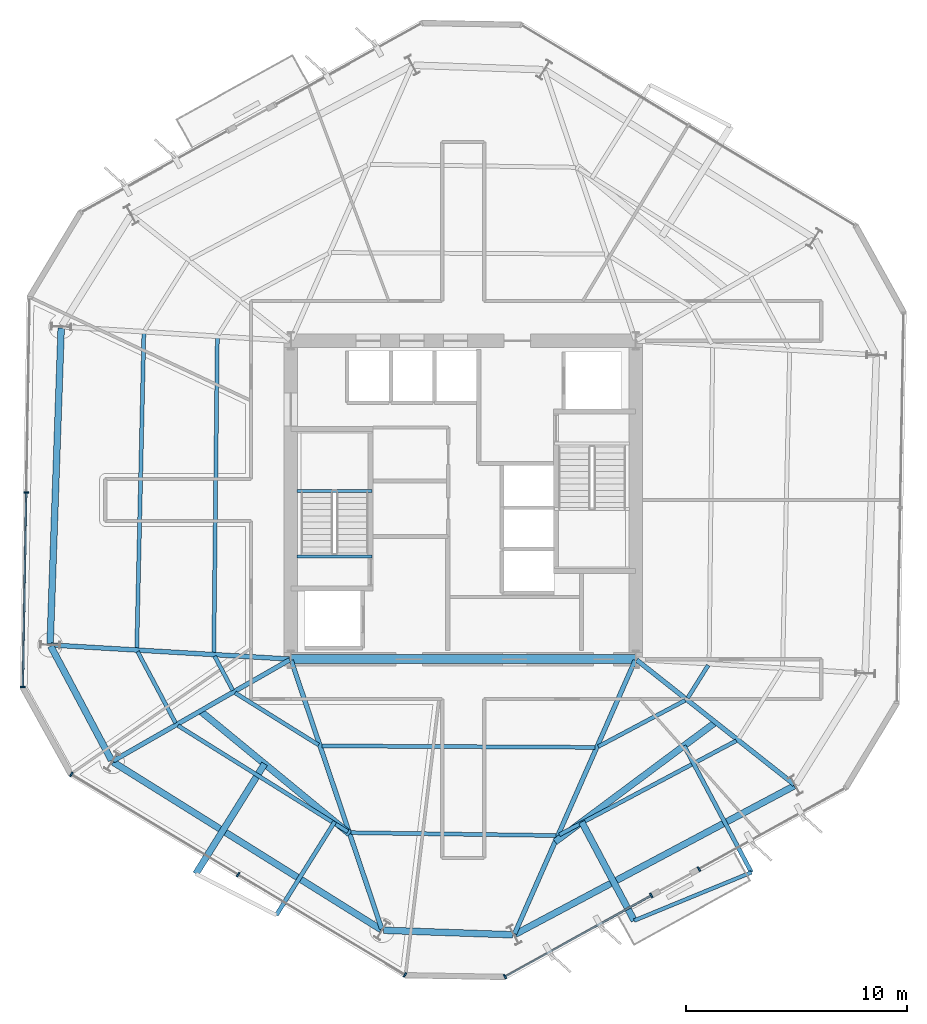
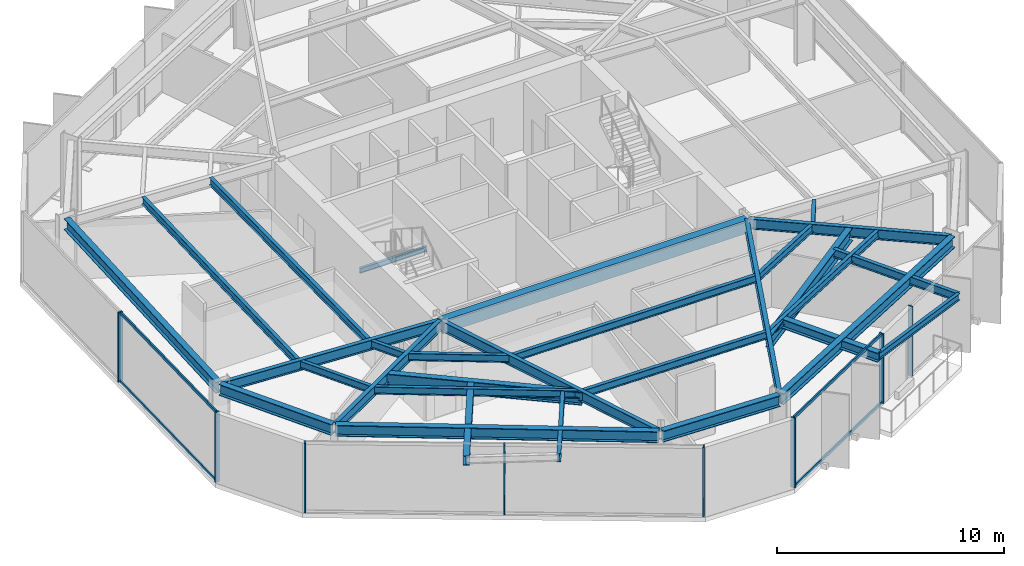
# One storey, part 2 of 11: 31 beams, 12 members, 4 elements without a shape of their own.
"""IFC4 building model written with IfcOpenShell, lengths in metres."""

from ifc_helpers import new_model, si_unit, direction, frame, origin, origin_2d, place, context, subcontext, project, spatial, rectangle, i_section, extrude, material, layer, layer_set, material_profile, profile_set, type_object, element, aggregate, save


model = new_model("IFC4")

# Units and contexts
model_context = context("Model", 3, precision=1e-05, world=origin(), true_north=direction((0.0, 1.0)))
body_context = subcontext(model_context, "Body", "Model", "MODEL_VIEW")
ifc_project = project(units=[si_unit("LENGTHUNIT", "METRE"), si_unit("AREAUNIT", "SQUARE_METRE"), si_unit("VOLUMEUNIT", "CUBIC_METRE"), si_unit("PLANEANGLEUNIT", "RADIAN"), si_unit("MASSUNIT", "GRAM", prefix="KILO")], contexts=[model_context])

# Site, building, storey
site_placement = place(None, origin())
site = spatial("IfcSite", under=ifc_project, at=site_placement, CompositionType="ELEMENT")
building_placement = place(site_placement, origin())
building = spatial("IfcBuilding", under=site, at=building_placement, Name="Kranzbogen Civic Tower", CompositionType="ELEMENT")
storey_placement = place(building_placement, frame((0.0, 0.0, 138.39990234375)))
storey = spatial("IfcBuildingStorey", under=building, at=storey_placement, Name="L33", CompositionType="ELEMENT", Elevation=138.39990234375)

# Beams
ifc_material_1 = material(Name="Steel S355", Category="steel")
ifc_material_profile_1 = material_profile(ifc_material_1, i_section(OverallWidth=0.18994140625, OverallDepth=0.449951171875, WebThickness=0.009521484375, FlangeThickness=0.0146484375, at=origin_2d()), Name="IPE 450")
ifc_profile_set_1 = profile_set([ifc_material_profile_1], Name="Steel S355")
beam_type_1 = type_object("IfcBeamType", Name="Braced Terrace Edge Beam IPE 450", PredefinedType="BEAM", material=ifc_profile_set_1)
beam_1_placement = place(storey_placement, frame((19.18798828125, 10.450927734375, 3.525146484375), z_axis=(-0.529902142132, -0.848058794992, 0.0), x_axis=(0.848058794992, -0.529902142132, 0.0)))
element("IfcBeam", 1, at=beam_1_placement, inside=storey, type_object=beam_type_1, Name="L34 back-spanned terrace beam L34-TB1-2", PredefinedType="BEAM", context=body_context, shape_type="SweptSolid", body=[
    extrude(i_section(OverallWidth=0.18994140625, OverallDepth=0.449951171875, WebThickness=0.009521484375, FlangeThickness=0.0146484375, at=origin_2d()), origin(), (0.0, 0.0, 1.0), 4.98779296875),
])
beam_2_placement = place(storey_placement, frame((34.990966796875, 13.884033203125, 3.4951171875), z_axis=(0.469406438819, -0.882982216806, 0.0), x_axis=(0.882982216806, 0.469406438819, 0.0)))
element("IfcBeam", 2, at=beam_2_placement, inside=storey, type_object=beam_type_1, Name="L34 back-spanned terrace beam L34-ST-2", PredefinedType="BEAM", context=body_context, shape_type="SweptSolid", body=[
    extrude(i_section(OverallWidth=0.18994140625, OverallDepth=0.449951171875, WebThickness=0.009521484375, FlangeThickness=0.0146484375, at=origin_2d()), origin(), (0.0, 0.0, 1.0), 6.4892578125),
])
ifc_material_2 = material(Name="Concrete C40/50", Category="concrete")
ifc_material_profile_2 = material_profile(ifc_material_2, rectangle(XDim=0.39990234375, YDim=0.699951171875, at=origin_2d()), Name="RC-BM 400x700")
ifc_profile_set_2 = profile_set([ifc_material_profile_2], Name="Concrete C40/50")
beam_type_2 = type_object("IfcBeamType", Name="Core Coupling Lintel Beam 400x700", PredefinedType="LINTEL", material=ifc_profile_set_2)
beam_3_placement = place(storey_placement, frame((17.199951171875, 17.800048828125, 3.41015625), z_axis=(1.0, 0.0, 0.0), x_axis=(0.0, 1.0, 0.0)))
element("IfcBeam", 3, at=beam_3_placement, inside=storey, type_object=beam_type_2, Name="L33 core South coupling lintel beam", PredefinedType="LINTEL", context=body_context, shape_type="SweptSolid", body=[
    extrude(rectangle(XDim=0.39990234375, YDim=0.699951171875, at=origin_2d()), origin(), (0.0, 0.0, 1.0), 15.60009765625),
])

# Curtain wall, members
ifc_material_3 = material(Name="Pale Anodised Aluminium", Category="aluminium")
ifc_layer = layer(ifc_material_3, 0.219970703125, Name="Pale Anodised Aluminium")
ifc_layer_set = layer_set([ifc_layer], Name="Pale Anodised Aluminium")
curtain_wall_type = type_object("IfcCurtainWallType", Name="Zone 2 Stick Curtain Wall System CW-03", PredefinedType="USERDEFINED", material=ifc_layer_set)
curtain_wall_1_placement = place(storey_placement, origin())
curtain_wall_1 = element("IfcCurtainWall", 4, at=curtain_wall_1_placement, inside=storey, type_object=curtain_wall_type, Name="L33 curtain wall CW-L33-F3", ObjectType="STICK CURTAIN WALL", PredefinedType="USERDEFINED")
ifc_material_profile_3 = material_profile(ifc_material_3, rectangle(XDim=0.074951171875, YDim=0.219970703125, at=origin_2d()), Name="ALU-M 75x220")
ifc_profile_set_3 = profile_set([ifc_material_profile_3], Name="Pale Anodised Aluminium")
member_type_1 = type_object("IfcMemberType", Name="Curtain Wall Mullion ALU-M 75x220", PredefinedType="MULLION", material=ifc_profile_set_3)
member_1_placement = place(storey_placement, frame((5.23095703125, 25.344970703125, 0.0), z_axis=(0.0, 0.0, 1.0), x_axis=(-0.017431971008, -0.999848051649, 0.0)))
member_1 = element("IfcMember", 5, at=member_1_placement, type_object=member_type_1, Name="CW-03 mullion 2", PredefinedType="MULLION", context=body_context, shape_type="SweptSolid", body=[
    extrude(rectangle(XDim=0.074951171875, YDim=0.219970703125, at=origin_2d()), origin(), (0.0, 0.0, 1.0), 3.760009765625),
])
member_2_placement = place(storey_placement, frame((5.07763671875, 16.5419921875, 0.0), z_axis=(0.0, 0.0, 1.0), x_axis=(-0.017431971008, -0.999848051649, 0.0)))
member_2 = element("IfcMember", 6, at=member_2_placement, type_object=member_type_1, Name="CW-03 mullion 3", PredefinedType="MULLION", context=body_context, shape_type="SweptSolid", body=[
    extrude(rectangle(XDim=0.074951171875, YDim=0.219970703125, at=origin_2d()), origin(), (0.0, 0.0, 1.0), 3.760009765625),
])

curtain_wall_2_placement = place(storey_placement, origin())
curtain_wall_2 = element("IfcCurtainWall", 7, at=curtain_wall_2_placement, inside=storey, type_object=curtain_wall_type, Name="L33 curtain wall CW-L33-F4", ObjectType="STICK CURTAIN WALL", PredefinedType="USERDEFINED")
member_3_placement = place(storey_placement, frame((7.270751953125, 12.586669921875, 0.0), z_axis=(0.0, 0.0, 1.0), x_axis=(0.857153137828, -0.515061645156, 0.0)))
member_3 = element("IfcMember", 8, at=member_3_placement, type_object=member_type_1, Name="CW-03 mullion 1", PredefinedType="MULLION", context=body_context, shape_type="SweptSolid", body=[
    extrude(rectangle(XDim=0.074951171875, YDim=0.219970703125, at=origin_2d()), origin(), (0.0, 0.0, 1.0), 3.760009765625),
])
member_4_placement = place(storey_placement, frame((14.81689453125, 8.052001953125, 0.0), z_axis=(0.0, 0.0, 1.0), x_axis=(0.857153137828, -0.515061645156, 0.0)))
member_4 = element("IfcMember", 9, at=member_4_placement, type_object=member_type_1, Name="CW-03 mullion 2", PredefinedType="MULLION", context=body_context, shape_type="SweptSolid", body=[
    extrude(rectangle(XDim=0.074951171875, YDim=0.219970703125, at=origin_2d()), origin(), (0.0, 0.0, 1.0), 3.760009765625),
])
member_5_placement = place(storey_placement, frame((22.36328125, 3.517333984375, 0.0), z_axis=(0.0, 0.0, 1.0), x_axis=(0.857153137828, -0.515061645156, 0.0)))
member_5 = element("IfcMember", 10, at=member_5_placement, type_object=member_type_1, Name="CW-03 mullion 3", PredefinedType="MULLION", context=body_context, shape_type="SweptSolid", body=[
    extrude(rectangle(XDim=0.074951171875, YDim=0.219970703125, at=origin_2d()), origin(), (0.0, 0.0, 1.0), 3.760009765625),
])
aggregate(curtain_wall_2, [member_3, member_4, member_5])

curtain_wall_3_placement = place(storey_placement, origin())
curtain_wall_3 = element("IfcCurtainWall", 11, at=curtain_wall_3_placement, inside=storey, type_object=curtain_wall_type, Name="L33 curtain wall CW-L33-F5-S1", ObjectType="STICK CURTAIN WALL", PredefinedType="USERDEFINED")
member_6_placement = place(storey_placement, frame((26.88525390625, 3.4384765625, 0.0), z_axis=(0.0, 0.0, 1.0), x_axis=(0.874626457599, 0.484797441894, 0.0)))
member_6 = element("IfcMember", 12, at=member_6_placement, type_object=member_type_1, Name="CW-03 mullion 1", PredefinedType="MULLION", context=body_context, shape_type="SweptSolid", body=[
    extrude(rectangle(XDim=0.074951171875, YDim=0.219970703125, at=origin_2d()), origin(), (0.0, 0.0, 1.0), 3.760009765625),
])
member_7_placement = place(storey_placement, frame((33.509765625, 7.1103515625, 0.0), z_axis=(0.0, 0.0, 1.0), x_axis=(0.874626457599, 0.484797441894, 0.0)))
member_7 = element("IfcMember", 13, at=member_7_placement, type_object=member_type_1, Name="CW-03 mullion 2", PredefinedType="MULLION", context=body_context, shape_type="SweptSolid", body=[
    extrude(rectangle(XDim=0.074951171875, YDim=0.219970703125, at=origin_2d()), origin(), (0.0, 0.0, 1.0), 3.760009765625),
])

# Curtain wall, member
curtain_wall_4_placement = place(storey_placement, origin())
curtain_wall_4 = element("IfcCurtainWall", 14, at=curtain_wall_4_placement, inside=storey, type_object=curtain_wall_type, Name="L33 curtain wall CW-L33-F5-S2", ObjectType="STICK CURTAIN WALL", PredefinedType="USERDEFINED")
member_8_placement = place(storey_placement, frame((35.6611328125, 8.303466796875, 0.0), z_axis=(0.0, 0.0, 1.0), x_axis=(0.874626457599, 0.484797441894, 0.0)))
member_8 = element("IfcMember", 15, at=member_8_placement, type_object=member_type_1, Name="CW-03 mullion 1", PredefinedType="MULLION", context=body_context, shape_type="SweptSolid", body=[
    extrude(rectangle(XDim=0.074951171875, YDim=0.219970703125, at=origin_2d()), origin(), (0.0, 0.0, 1.0), 3.760009765625),
])
aggregate(curtain_wall_4, [member_8])

# Member
ifc_material_profile_4 = material_profile(ifc_material_3, rectangle(XDim=0.074951171875, YDim=0.1650390625, at=origin_2d()), Name="ALU-T 75x165")
ifc_profile_set_4 = profile_set([ifc_material_profile_4], Name="Pale Anodised Aluminium")
member_type_2 = type_object("IfcMemberType", Name="Curtain Wall Transom ALU-T 75x165", PredefinedType="USERDEFINED", material=ifc_profile_set_4)
member_9_placement = place(storey_placement, frame((5.23046875, 25.31494140625, 0.030029296875), z_axis=(-0.01742216891, -0.999848222497, 0.0), x_axis=(0.999848222497, -0.01742216891, 0.0)))
member_9 = element("IfcMember", 16, at=member_9_placement, type_object=member_type_2, Name="CW-03 transom 2.1", ObjectType="TRANSOM", PredefinedType="USERDEFINED", context=body_context, shape_type="SweptSolid", body=[
    extrude(rectangle(XDim=0.074951171875, YDim=0.1650390625, at=origin_2d()), origin(), (0.0, 0.0, 1.0), 8.744140625),
])

member_10_placement = place(storey_placement, frame((5.23046875, 25.31494140625, 3.72998046875), z_axis=(-0.01742216891, -0.999848222497, 0.0), x_axis=(0.999848222497, -0.01742216891, 0.0)))
member_10 = element("IfcMember", 17, at=member_10_placement, type_object=member_type_2, Name="CW-03 transom 2.2", ObjectType="TRANSOM", PredefinedType="USERDEFINED", context=body_context, shape_type="SweptSolid", body=[
    extrude(rectangle(XDim=0.074951171875, YDim=0.1650390625, at=origin_2d()), origin(), (0.0, 0.0, 1.0), 8.744140625),
])

aggregate(curtain_wall_1, [member_1, member_2, member_9, member_10])

member_11_placement = place(storey_placement, frame((26.911376953125, 3.453125, 0.030029296875), z_axis=(0.874633478756, 0.484784774759, 0.0), x_axis=(-0.484784774759, 0.874633478756, 0.0)))
member_11 = element("IfcMember", 18, at=member_11_placement, type_object=member_type_2, Name="CW-03 transom 1.1", ObjectType="TRANSOM", PredefinedType="USERDEFINED", context=body_context, shape_type="SweptSolid", body=[
    extrude(rectangle(XDim=0.074951171875, YDim=0.1650390625, at=origin_2d()), origin(), (0.0, 0.0, 1.0), 7.514404296875),
])

member_12_placement = place(storey_placement, frame((26.911376953125, 3.453125, 3.72998046875), z_axis=(0.874633478756, 0.484784774759, 0.0), x_axis=(-0.484784774759, 0.874633478756, 0.0)))
member_12 = element("IfcMember", 19, at=member_12_placement, type_object=member_type_2, Name="CW-03 transom 1.2", ObjectType="TRANSOM", PredefinedType="USERDEFINED", context=body_context, shape_type="SweptSolid", body=[
    extrude(rectangle(XDim=0.074951171875, YDim=0.1650390625, at=origin_2d()), origin(), (0.0, 0.0, 1.0), 7.514404296875),
])

aggregate(curtain_wall_3, [member_6, member_7, member_11, member_12])

# Beams
ifc_material_profile_5 = material_profile(ifc_material_1, i_section(OverallWidth=0.300048828125, OverallDepth=0.5, WebThickness=0.014404296875, FlangeThickness=0.028076171875, at=origin_2d()), Name="HEB 500")
ifc_profile_set_5 = profile_set([ifc_material_profile_5], Name="Steel S355")
beam_type_3 = type_object("IfcBeamType", Name="Perimeter Tube Spandrel Beam HEB 500", PredefinedType="SPANDREL", material=ifc_profile_set_5)
beam_4_placement = place(storey_placement, frame((16.011962890625, 13.06396484375, 3.5), z_axis=(-0.529980228691, -0.848009998288, 0.0), x_axis=(0.848009998288, -0.529980228691, 0.0)))
element("IfcBeam", 20, at=beam_4_placement, inside=storey, type_object=beam_type_3, Name="L34 back-spanned terrace beam L34-TB1-1", PredefinedType="SPANDREL", context=body_context, shape_type="SweptSolid", body=[
    extrude(i_section(OverallWidth=0.300048828125, OverallDepth=0.5, WebThickness=0.014404296875, FlangeThickness=0.028076171875, at=origin_2d()), origin(), (0.0, 0.0, 1.0), 5.8642578125),
])
beam_5_placement = place(storey_placement, frame((30.361083984375, 10.43408203125, 3.47021484375), z_axis=(0.469356559046, -0.883008731826, 0.0), x_axis=(0.883008731826, 0.469356559046, 0.0)))
element("IfcBeam", 21, at=beam_5_placement, inside=storey, type_object=beam_type_3, Name="L34 back-spanned terrace beam L34-ST-1", PredefinedType="SPANDREL", context=body_context, shape_type="SweptSolid", body=[
    extrude(i_section(OverallWidth=0.300048828125, OverallDepth=0.5, WebThickness=0.014404296875, FlangeThickness=0.028076171875, at=origin_2d()), origin(), (0.0, 0.0, 1.0), 5.053466796875),
])
ifc_material_profile_6 = material_profile(ifc_material_1, i_section(OverallWidth=0.300048828125, OverallDepth=0.60009765625, WebThickness=0.015380859375, FlangeThickness=0.030029296875, at=origin_2d()), Name="HEB 600")
ifc_profile_set_6 = profile_set([ifc_material_profile_6], Name="Steel S355")
beam_type_4 = type_object("IfcBeamType", Name="Perimeter Tube Spandrel Beam HEB 600", PredefinedType="SPANDREL", material=ifc_profile_set_6)
beam_6_placement = place(storey_placement, frame((6.337890625, 18.39111328125, 3.460205078125), z_axis=(0.469565926668, -0.882897412224, 0.0), x_axis=(0.882897412224, 0.469565926668, 0.0)))
element("IfcBeam", 22, at=beam_6_placement, inside=storey, type_object=beam_type_4, Name="L33 perimeter spandrel beam 01", PredefinedType="SPANDREL", context=body_context, shape_type="SweptSolid", body=[
    extrude(i_section(OverallWidth=0.300048828125, OverallDepth=0.60009765625, WebThickness=0.015380859375, FlangeThickness=0.030029296875, at=origin_2d()), origin(), (0.0, 0.0, 1.0), 5.852294921875),
])
beam_7_placement = place(storey_placement, frame((9.1650390625, 13.138916015625, 3.460205078125), z_axis=(0.848051101349, -0.52991445489, 0.0), x_axis=(0.52991445489, 0.848051101349, 0.0)))
element("IfcBeam", 23, at=beam_7_placement, inside=storey, type_object=beam_type_4, Name="L33 perimeter spandrel beam 02", PredefinedType="SPANDREL", context=body_context, shape_type="SweptSolid", body=[
    extrude(i_section(OverallWidth=0.300048828125, OverallDepth=0.60009765625, WebThickness=0.015380859375, FlangeThickness=0.030029296875, at=origin_2d()), origin(), (0.0, 0.0, 1.0), 14.286865234375),
])
beam_8_placement = place(storey_placement, frame((21.39208984375, 5.533935546875, 3.460205078125), z_axis=(0.999393148233, -0.03483296234, 0.0), x_axis=(0.03483296234, 0.999393148233, 0.0)))
element("IfcBeam", 24, at=beam_8_placement, inside=storey, type_object=beam_type_4, Name="L33 perimeter spandrel beam 03", PredefinedType="SPANDREL", context=body_context, shape_type="SweptSolid", body=[
    extrude(i_section(OverallWidth=0.300048828125, OverallDepth=0.60009765625, WebThickness=0.015380859375, FlangeThickness=0.030029296875, at=origin_2d()), origin(), (0.0, 0.0, 1.0), 5.8525390625),
])
beam_9_placement = place(storey_placement, frame((27.35400390625, 5.35595703125, 3.460205078125), z_axis=(0.882948194046, 0.469470432116, 0.0), x_axis=(-0.469470432116, 0.882948194046, 0.0)))
element("IfcBeam", 25, at=beam_9_placement, inside=storey, type_object=beam_type_4, Name="L33 perimeter spandrel beam 04", PredefinedType="SPANDREL", context=body_context, shape_type="SweptSolid", body=[
    extrude(i_section(OverallWidth=0.300048828125, OverallDepth=0.60009765625, WebThickness=0.015380859375, FlangeThickness=0.030029296875, at=origin_2d()), origin(), (0.0, 0.0, 1.0), 14.28857421875),
])
beam_10_placement = place(storey_placement, frame((6.81103515625, 32.783935546875, 3.460205078125), z_axis=(-0.034924229103, -0.999389963038, 0.0), x_axis=(0.999389963038, -0.034924229103, 0.0)))
element("IfcBeam", 26, at=beam_10_placement, inside=storey, type_object=beam_type_4, Name="L33 perimeter spandrel beam 12", PredefinedType="SPANDREL", context=body_context, shape_type="SweptSolid", body=[
    extrude(i_section(OverallWidth=0.300048828125, OverallDepth=0.60009765625, WebThickness=0.015380859375, FlangeThickness=0.030029296875, at=origin_2d()), origin(), (0.0, 0.0, 1.0), 14.288818359375),
])
ifc_material_profile_7 = material_profile(ifc_material_1, i_section(OverallWidth=0.300048828125, OverallDepth=0.699951171875, WebThickness=0.01708984375, FlangeThickness=0.031982421875, at=origin_2d()), Name="HEB 700")
ifc_profile_set_7 = profile_set([ifc_material_profile_7], Name="Steel S355")
beam_type_5 = type_object("IfcBeamType", Name="Perimeter Tube Spandrel Beam HEB 700", PredefinedType="SPANDREL", material=ifc_profile_set_7)
beam_11_placement = place(storey_placement, frame((13.10595703125, 15.4560546875, 3.400146484375), z_axis=(0.772133132713, -0.635460797663, 0.0), x_axis=(0.635460797663, 0.772133132713, 0.0)))
element("IfcBeam", 27, at=beam_11_placement, inside=storey, type_object=beam_type_5, Name="L34 balcony back-span header girder L34-TB1", PredefinedType="SPANDREL", context=body_context, shape_type="SweptSolid", body=[
    extrude(i_section(OverallWidth=0.300048828125, OverallDepth=0.699951171875, WebThickness=0.01708984375, FlangeThickness=0.031982421875, at=origin_2d()), origin(), (0.0, 0.0, 1.0), 8.751220703125),
])
beam_12_placement = place(storey_placement, frame((29.156982421875, 9.537109375, 3.3701171875), z_axis=(0.801896259305, 0.597463295369, 0.0), x_axis=(-0.597463295369, 0.801896259305, 0.0)))
element("IfcBeam", 28, at=beam_12_placement, inside=storey, type_object=beam_type_5, Name="L34 balcony back-span header girder L34-ST", PredefinedType="SPANDREL", context=body_context, shape_type="SweptSolid", body=[
    extrude(i_section(OverallWidth=0.300048828125, OverallDepth=0.699951171875, WebThickness=0.01708984375, FlangeThickness=0.031982421875, at=origin_2d()), origin(), (0.0, 0.0, 1.0), 9.0498046875),
])
ifc_material_profile_8 = material_profile(ifc_material_1, i_section(OverallWidth=0.2099609375, OverallDepth=0.550048828125, WebThickness=0.010986328125, FlangeThickness=0.01708984375, at=origin_2d()), Name="IPE 550")
ifc_profile_set_8 = profile_set([ifc_material_profile_8], Name="Steel S355")
beam_type_6 = type_object("IfcBeamType", Name="Radial Tower Floor Girder IPE 550", PredefinedType="BEAM", material=ifc_profile_set_8)
beam_13_placement = place(storey_placement, frame((6.3701171875, 18.43994140625, 3.485107421875), z_axis=(0.998260925387, -0.058950189528, 0.0), x_axis=(0.058950189528, 0.998260925387, 0.0)))
element("IfcBeam", 29, at=beam_13_placement, inside=storey, type_object=beam_type_6, Name="L33 radial floor girder 01", PredefinedType="BEAM", context=body_context, shape_type="SweptSolid", body=[
    extrude(i_section(OverallWidth=0.2099609375, OverallDepth=0.550048828125, WebThickness=0.010986328125, FlangeThickness=0.01708984375, at=origin_2d()), origin(), (0.0, 0.0, 1.0), 10.78857421875),
])
beam_14_placement = place(storey_placement, frame((9.166015625, 13.200927734375, 3.485107421875), z_axis=(0.867868812182, 0.496793442833, 0.0), x_axis=(-0.496793442833, 0.867868812182, 0.0)))
element("IfcBeam", 30, at=beam_14_placement, inside=storey, type_object=beam_type_6, Name="L33 radial floor girder 02", PredefinedType="BEAM", context=body_context, shape_type="SweptSolid", body=[
    extrude(i_section(OverallWidth=0.2099609375, OverallDepth=0.550048828125, WebThickness=0.010986328125, FlangeThickness=0.01708984375, at=origin_2d()), origin(), (0.0, 0.0, 1.0), 9.197265625),
])
beam_15_placement = place(storey_placement, frame((21.31298828125, 5.593017578125, 3.485107421875), z_axis=(-0.319316617377, 0.947648087566, 0.0), x_axis=(-0.947648087566, -0.319316617377, 0.0)))
element("IfcBeam", 31, at=beam_15_placement, inside=storey, type_object=beam_type_6, Name="L33 radial floor girder 03", PredefinedType="BEAM", context=body_context, shape_type="SweptSolid", body=[
    extrude(i_section(OverallWidth=0.2099609375, OverallDepth=0.550048828125, WebThickness=0.010986328125, FlangeThickness=0.01708984375, at=origin_2d()), origin(), (0.0, 0.0, 1.0), 12.821044921875),
])
beam_16_placement = place(storey_placement, frame((27.324951171875, 5.383056640625, 3.485107421875), z_axis=(0.403459127705, 0.914997667905, 0.0), x_axis=(-0.914997667905, 0.403459127705, 0.0)))
element("IfcBeam", 32, at=beam_16_placement, inside=storey, type_object=beam_type_6, Name="L33 radial floor girder 04", PredefinedType="BEAM", context=body_context, shape_type="SweptSolid", body=[
    extrude(i_section(OverallWidth=0.2099609375, OverallDepth=0.550048828125, WebThickness=0.010986328125, FlangeThickness=0.01708984375, at=origin_2d()), origin(), (0.0, 0.0, 1.0), 13.510498046875),
])
beam_17_placement = place(storey_placement, frame((39.97607421875, 12.12890625, 3.485107421875), z_axis=(-0.78457455683, 0.620034486763, 0.0), x_axis=(-0.620034486763, -0.78457455683, 0.0)))
element("IfcBeam", 33, at=beam_17_placement, inside=storey, type_object=beam_type_6, Name="L33 radial floor girder 05", PredefinedType="BEAM", context=body_context, shape_type="SweptSolid", body=[
    extrude(i_section(OverallWidth=0.2099609375, OverallDepth=0.550048828125, WebThickness=0.010986328125, FlangeThickness=0.01708984375, at=origin_2d()), origin(), (0.0, 0.0, 1.0), 9.086669921875),
])
ifc_material_profile_9 = material_profile(ifc_material_1, i_section(OverallWidth=0.169921875, OverallDepth=0.360107421875, WebThickness=0.008056640625, FlangeThickness=0.0126953125, at=origin_2d()), Name="IPE 360")
ifc_profile_set_9 = profile_set([ifc_material_profile_9], Name="Steel S355")
beam_type_7 = type_object("IfcBeamType", Name="Secondary Composite Floor Joist IPE 360", PredefinedType="JOIST", material=ifc_profile_set_9)
beam_18_placement = place(storey_placement, frame((32.73291015625, 5.971923828125, 3.5400390625), z_axis=(0.924797943839, 0.380458622021, 0.0), x_axis=(-0.380458622021, 0.924797943839, 0.0)))
element("IfcBeam", 34, at=beam_18_placement, inside=storey, type_object=beam_type_7, Name="L34 terrace outer edge trimmer L34-ST", PredefinedType="JOIST", context=body_context, shape_type="SweptSolid", body=[
    extrude(i_section(OverallWidth=0.169921875, OverallDepth=0.360107421875, WebThickness=0.008056640625, FlangeThickness=0.0126953125, at=origin_2d()), origin(), (0.0, 0.0, 1.0), 5.735595703125),
])
ifc_material_profile_10 = material_profile(ifc_material_1, i_section(OverallWidth=0.179931640625, OverallDepth=0.39990234375, WebThickness=0.008544921875, FlangeThickness=0.013427734375, at=origin_2d()), Name="IPE 400")
ifc_profile_set_10 = profile_set([ifc_material_profile_10], Name="Steel S355")
beam_type_8 = type_object("IfcBeamType", Name="Secondary Composite Floor Joist IPE 400", PredefinedType="JOIST", material=ifc_profile_set_10)
beam_19_placement = place(storey_placement, frame((10.26806640625, 18.14208984375, 3.56005859375), z_axis=(0.469338791783, -0.88301817565, 0.0), x_axis=(0.88301817565, 0.469338791783, 0.0)))
element("IfcBeam", 35, at=beam_19_placement, inside=storey, type_object=beam_type_8, Name="L33 secondary floor joist 1.01", PredefinedType="JOIST", context=body_context, shape_type="SweptSolid", body=[
    extrude(i_section(OverallWidth=0.179931640625, OverallDepth=0.39990234375, WebThickness=0.008544921875, FlangeThickness=0.013427734375, at=origin_2d()), origin(), (0.0, 0.0, 1.0), 3.66259765625),
])
beam_20_placement = place(storey_placement, frame((13.7529296875, 17.93505859375, 3.56005859375), z_axis=(0.46943723363, -0.882965845139, 0.0), x_axis=(0.882965845139, 0.46943723363, 0.0)))
element("IfcBeam", 36, at=beam_20_placement, inside=storey, type_object=beam_type_8, Name="L33 secondary floor joist 2.01", PredefinedType="JOIST", context=body_context, shape_type="SweptSolid", body=[
    extrude(i_section(OverallWidth=0.179931640625, OverallDepth=0.39990234375, WebThickness=0.008544921875, FlangeThickness=0.013427734375, at=origin_2d()), origin(), (0.0, 0.0, 1.0), 1.7509765625),
])
beam_21_placement = place(storey_placement, frame((12.093017578125, 14.794921875, 3.56005859375), z_axis=(0.848025549308, -0.529955345026, 0.0), x_axis=(0.529955345026, 0.848025549308, 0.0)))
element("IfcBeam", 37, at=beam_21_placement, inside=storey, type_object=beam_type_8, Name="L33 secondary floor joist 1.02", PredefinedType="JOIST", context=body_context, shape_type="SweptSolid", body=[
    extrude(i_section(OverallWidth=0.179931640625, OverallDepth=0.39990234375, WebThickness=0.008544921875, FlangeThickness=0.013427734375, at=origin_2d()), origin(), (0.0, 0.0, 1.0), 9.06103515625),
])
beam_22_placement = place(storey_placement, frame((14.679931640625, 16.27587890625, 3.56005859375), z_axis=(0.848093834398, -0.529846060716, 0.0), x_axis=(0.529846060716, 0.848093834398, 0.0)))
element("IfcBeam", 38, at=beam_22_placement, inside=storey, type_object=beam_type_8, Name="L33 secondary floor joist 2.02", PredefinedType="JOIST", context=body_context, shape_type="SweptSolid", body=[
    extrude(i_section(OverallWidth=0.179931640625, OverallDepth=0.39990234375, WebThickness=0.008544921875, FlangeThickness=0.013427734375, at=origin_2d()), origin(), (0.0, 0.0, 1.0), 4.4501953125),
])
beam_23_placement = place(storey_placement, frame((19.924072265625, 9.949951171875, 3.56005859375), z_axis=(0.999900525148, -0.014104602386, 0.0), x_axis=(0.014104602386, 0.999900525148, 0.0)))
element("IfcBeam", 39, at=beam_23_placement, inside=storey, type_object=beam_type_8, Name="L33 secondary floor joist 1.03", PredefinedType="JOIST", context=body_context, shape_type="SweptSolid", body=[
    extrude(i_section(OverallWidth=0.179931640625, OverallDepth=0.39990234375, WebThickness=0.008544921875, FlangeThickness=0.013427734375, at=origin_2d()), origin(), (0.0, 0.0, 1.0), 9.27783203125),
])
beam_24_placement = place(storey_placement, frame((18.60205078125, 13.875, 3.56005859375), z_axis=(0.999985774147, -0.005333995002, 0.0), x_axis=(0.005333995002, 0.999985774147, 0.0)))
element("IfcBeam", 40, at=beam_24_placement, inside=storey, type_object=beam_type_8, Name="L33 secondary floor joist 2.03", PredefinedType="JOIST", context=body_context, shape_type="SweptSolid", body=[
    extrude(i_section(OverallWidth=0.179931640625, OverallDepth=0.39990234375, WebThickness=0.008544921875, FlangeThickness=0.013427734375, at=origin_2d()), origin(), (0.0, 0.0, 1.0), 12.358154296875),
])
beam_25_placement = place(storey_placement, frame((29.35107421875, 9.85498046875, 3.56005859375), z_axis=(0.882960787661, 0.469446746131, 0.0), x_axis=(-0.469446746131, 0.882960787661, 0.0)))
element("IfcBeam", 41, at=beam_25_placement, inside=storey, type_object=beam_type_8, Name="L33 secondary floor joist 1.04", PredefinedType="JOIST", context=body_context, shape_type="SweptSolid", body=[
    extrude(i_section(OverallWidth=0.179931640625, OverallDepth=0.39990234375, WebThickness=0.008544921875, FlangeThickness=0.013427734375, at=origin_2d()), origin(), (0.0, 0.0, 1.0), 9.0615234375),
])
beam_26_placement = place(storey_placement, frame((31.111083984375, 13.846923828125, 3.56005859375), z_axis=(0.882991399158, 0.469389165844, 0.0), x_axis=(-0.469389165844, 0.882991399158, 0.0)))
element("IfcBeam", 42, at=beam_26_placement, inside=storey, type_object=beam_type_8, Name="L33 secondary floor joist 2.04", PredefinedType="JOIST", context=body_context, shape_type="SweptSolid", body=[
    extrude(i_section(OverallWidth=0.179931640625, OverallDepth=0.39990234375, WebThickness=0.008544921875, FlangeThickness=0.013427734375, at=origin_2d()), origin(), (0.0, 0.0, 1.0), 4.45068359375),
])
beam_27_placement = place(storey_placement, frame((35.154052734375, 16.041015625, 3.56005859375), z_axis=(0.529572623603, 0.84826460278, 0.0), x_axis=(-0.84826460278, 0.529572623603, 0.0)))
element("IfcBeam", 43, at=beam_27_placement, inside=storey, type_object=beam_type_8, Name="L33 secondary floor joist 2.05", PredefinedType="JOIST", context=body_context, shape_type="SweptSolid", body=[
    extrude(i_section(OverallWidth=0.179931640625, OverallDepth=0.39990234375, WebThickness=0.008544921875, FlangeThickness=0.013427734375, at=origin_2d()), origin(), (0.0, 0.0, 1.0), 1.75048828125),
])
beam_28_placement = place(storey_placement, frame((10.551025390625, 32.531982421875, 3.56005859375), z_axis=(-0.022402523442, -0.999749031979, 0.0), x_axis=(0.999749031979, -0.022402523442, 0.0)))
element("IfcBeam", 44, at=beam_28_placement, inside=storey, type_object=beam_type_8, Name="L33 secondary floor joist 1.12", PredefinedType="JOIST", context=body_context, shape_type="SweptSolid", body=[
    extrude(i_section(OverallWidth=0.179931640625, OverallDepth=0.39990234375, WebThickness=0.008544921875, FlangeThickness=0.013427734375, at=origin_2d()), origin(), (0.0, 0.0, 1.0), 14.24365234375),
])
beam_29_placement = place(storey_placement, frame((13.875, 32.325927734375, 3.56005859375), z_axis=(-0.011160516663, -0.999937719494, 0.0), x_axis=(0.999937719494, -0.011160516663, 0.0)))
element("IfcBeam", 45, at=beam_29_placement, inside=storey, type_object=beam_type_8, Name="L33 secondary floor joist 2.12", PredefinedType="JOIST", context=body_context, shape_type="SweptSolid", body=[
    extrude(i_section(OverallWidth=0.179931640625, OverallDepth=0.39990234375, WebThickness=0.008544921875, FlangeThickness=0.013427734375, at=origin_2d()), origin(), (0.0, 0.0, 1.0), 14.240966796875),
])
ifc_material_profile_11 = material_profile(ifc_material_1, i_section(OverallWidth=0.135009765625, OverallDepth=0.27001953125, WebThickness=0.006591796875, FlangeThickness=0.01025390625, at=origin_2d()), Name="IPE 270")
ifc_profile_set_11 = profile_set([ifc_material_profile_11], Name="Steel S355")
beam_type_9 = type_object("IfcBeamType", Name="Stair Landing Support Beam IPE 270", PredefinedType="JOIST", material=ifc_profile_set_11)
for number, where, z_axis, x_axis, name in (
    (46, (20.8798828125, 22.43994140625, -0.375), (-1.0, 0.0, 0.0), (0.0, -1.0, 0.0), "L33 ST-T1 stair floor header beam"),
    (47, (20.8798828125, 25.39990234375, 1.6650390625), (-1.0, 0.0, 0.0), (0.0, -1.0, 0.0), "L33 ST-T1 landing support beam 1.1"),
):
    element("IfcBeam", number, at=place(storey_placement, frame(where, z_axis=z_axis, x_axis=x_axis)), inside=storey, type_object=beam_type_9, Name=name, PredefinedType="JOIST", context=body_context, shape_type="SweptSolid", body=[
        extrude(i_section(OverallWidth=0.135009765625, OverallDepth=0.27001953125, WebThickness=0.006591796875, FlangeThickness=0.01025390625, at=origin_2d()), origin(), (0.0, 0.0, 1.0), 3.409912109375),
    ])

save(model, "model.ifc")
